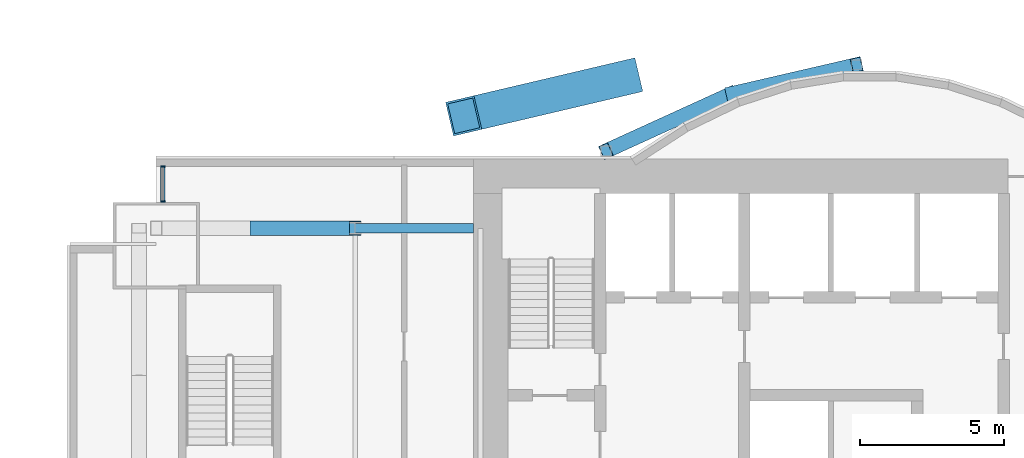
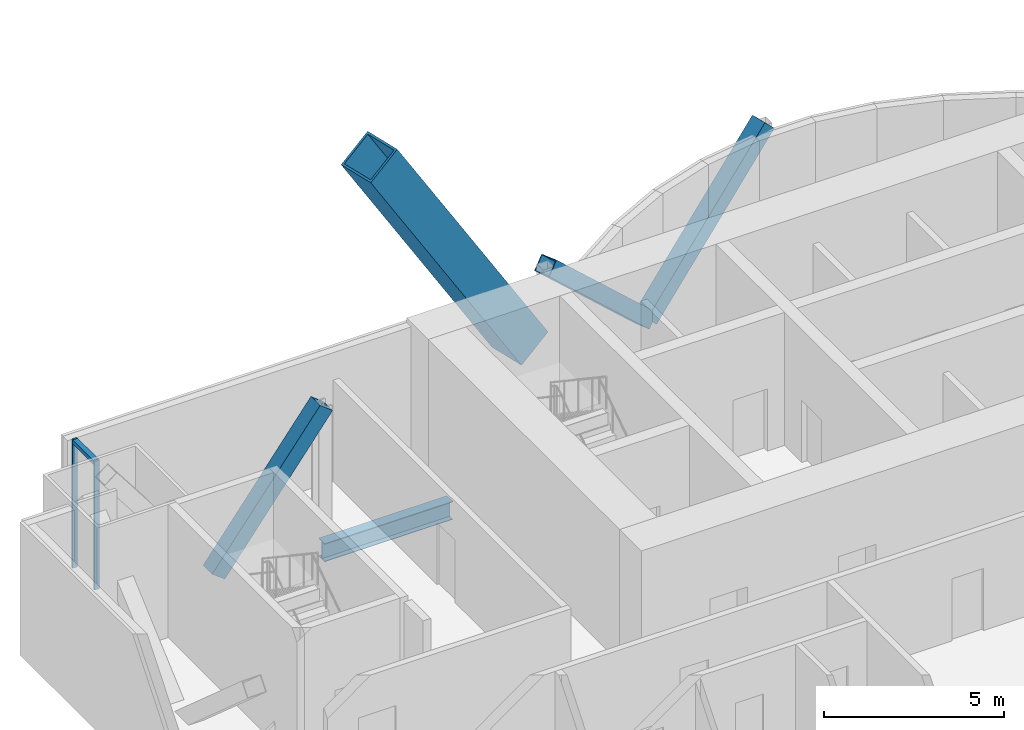
# One storey, part 11 of 23: 7 members, 1 beam, 1 element without a shape of its own.
"""IFC4 building model written with IfcOpenShell, lengths in metres."""

from ifc_helpers import new_model, si_unit, direction, frame, origin, origin_2d, place, context, subcontext, project, spatial, rectangle, hollow_rectangle, i_section, extrude, material, material_profile, profile_set, type_object, element, aggregate, save


model = new_model("IFC4")

# Units and contexts
model_context = context("Model", 3, precision=1e-05, world=origin(), true_north=direction((0.0, 1.0)))
body_context = subcontext(model_context, "Body", "Model", "MODEL_VIEW")
ifc_project = project(units=[si_unit("LENGTHUNIT", "METRE"), si_unit("AREAUNIT", "SQUARE_METRE"), si_unit("VOLUMEUNIT", "CUBIC_METRE"), si_unit("PLANEANGLEUNIT", "RADIAN"), si_unit("MASSUNIT", "GRAM", prefix="KILO")], contexts=[model_context])

# Site, building, storey
site_placement = place(None, origin())
site = spatial("IfcSite", under=ifc_project, at=site_placement, CompositionType="ELEMENT")
building_placement = place(site_placement, origin())
building = spatial("IfcBuilding", under=site, at=building_placement, Name="Bicima Exchange Tower", CompositionType="ELEMENT")
storey_placement = place(building_placement, frame((0.0, 0.0, 62.0)))
storey = spatial("IfcBuildingStorey", under=building, at=storey_placement, Name="L12", CompositionType="ELEMENT", Elevation=62.0)

# Member
ifc_material_1 = material(Name="Steel ASTM A572 Gr 50", Category="steel")
ifc_material_profile_1 = material_profile(ifc_material_1, hollow_rectangle(XDim=1.199951171875, YDim=1.199951171875, WallThickness=0.070068359375, at=origin_2d()))
ifc_profile_set_1 = profile_set([ifc_material_profile_1], Name="Steel ASTM A572 Gr 50")
member_type_1 = type_object("IfcMemberType", Name="Exo mega brace BOX 1200x1200x70", PredefinedType="BRACE", material=ifc_profile_set_1)
member_1_placement = place(storey_placement, frame((-16.75, 2.8125, 0.22509765625), z_axis=(-0.526282956068, -0.123717572776, 0.841261084526), x_axis=(0.228840031766, -0.973464041381, 0.0)))
element("IfcMember", 1, at=member_1_placement, inside=storey, type_object=member_type_1, Name="Exo mega brace rear", PredefinedType="BRACE", context=body_context, shape_type="SweptSolid", body=[
    extrude(hollow_rectangle(XDim=1.199951171875, YDim=1.199951171875, WallThickness=0.070068359375, at=origin_2d()), origin(), (0.0, 0.0, 1.0), 10.60888671875),
])

# Curtain wall, members
ifc_material_2 = material(Name="Anodised bronze aluminium", Category="aluminium")
curtain_wall_type = type_object("IfcCurtainWallType", Name="Front glass wall", PredefinedType="NOTDEFINED", material=ifc_material_2)
curtain_wall_placement = place(storey_placement, origin())
curtain_wall = element("IfcCurtainWall", 2, at=curtain_wall_placement, inside=storey, type_object=curtain_wall_type, Name="Front glass wall L12 run 1", PredefinedType="NOTDEFINED")
ifc_material_profile_2 = material_profile(ifc_material_2, rectangle(XDim=0.159912109375, YDim=0.06005859375, at=origin_2d()))
ifc_profile_set_2 = profile_set([ifc_material_profile_2], Name="Anodised bronze aluminium")
member_type_2 = type_object("IfcMemberType", Name="Front glass wall mullion 60 x 160", PredefinedType="MULLION", material=ifc_profile_set_2)
member_2_placement = place(storey_placement, frame((-32.77001953125, -0.260009765625, 0.0), z_axis=(0.0, 0.0, 1.0), x_axis=(1.0, 0.0, 0.0)))
member_2 = element("IfcMember", 3, at=member_2_placement, type_object=member_type_2, Name="Front glass wall mullion 1", PredefinedType="MULLION", context=body_context, shape_type="SweptSolid", body=[
    extrude(rectangle(XDim=0.159912109375, YDim=0.06005859375, at=origin_2d()), origin(), (0.0, 0.0, 1.0), 4.35009765625),
])
member_3_placement = place(storey_placement, frame((-32.77001953125, -1.469970703125, 0.0), z_axis=(0.0, 0.0, 1.0), x_axis=(1.0, 0.0, 0.0)))
member_3 = element("IfcMember", 4, at=member_3_placement, type_object=member_type_2, Name="Front glass wall mullion 2", PredefinedType="MULLION", context=body_context, shape_type="SweptSolid", body=[
    extrude(rectangle(XDim=0.159912109375, YDim=0.06005859375, at=origin_2d()), origin(), (0.0, 0.0, 1.0), 4.35009765625),
])
ifc_material_profile_3 = material_profile(ifc_material_2, rectangle(XDim=0.159912109375, YDim=0.139892578125, at=origin_2d()))
ifc_profile_set_3 = profile_set([ifc_material_profile_3], Name="Anodised bronze aluminium")
member_type_3 = type_object("IfcMemberType", Name="Front glass wall transom 140 x 160", PredefinedType="USERDEFINED", material=ifc_profile_set_3)
member_4_placement = place(storey_placement, frame((-32.77001953125, -0.2900390625, 4.280029296875), z_axis=(0.0, -1.0, 0.0), x_axis=(1.0, 0.0, 0.0)))
member_4 = element("IfcMember", 5, at=member_4_placement, type_object=member_type_3, Name="Front glass wall transom 1.1", ObjectType="TRANSOM", PredefinedType="USERDEFINED", context=body_context, shape_type="SweptSolid", body=[
    extrude(rectangle(XDim=0.159912109375, YDim=0.139892578125, at=origin_2d()), origin(), (0.0, 0.0, 1.0), 1.14990234375),
])
aggregate(curtain_wall, [member_2, member_3, member_4])

# Members
ifc_material_profile_4 = material_profile(ifc_material_1, hollow_rectangle(XDim=0.508056640625, YDim=0.508056640625, WallThickness=0.017822265625, at=origin_2d()))
ifc_profile_set_4 = profile_set([ifc_material_profile_4], Name="Steel ASTM A572 Gr 50")
member_type_4 = type_object("IfcMemberType", Name="Mega brace HSS20x20x3/4", PredefinedType="BRACE", material=ifc_profile_set_4)
member_5_placement = place(storey_placement, frame((-13.050048828125, 2.262451171875, 0.0), z_axis=(0.686212303743, 0.158786245837, 0.709858860848), x_axis=(-0.225438503722, 0.974257399787, 0.0)))
element("IfcMember", 6, at=member_5_placement, inside=storey, type_object=member_type_4, Name="Mega brace rexo", PredefinedType="BRACE", context=body_context, shape_type="SweptSolid", body=[
    extrude(hollow_rectangle(XDim=0.508056640625, YDim=0.508056640625, WallThickness=0.017822265625, at=origin_2d()), origin(), (0.0, 0.0, 1.0), 6.33935546875),
])
member_6_placement = place(storey_placement, frame((-13.050048828125, 2.262451171875, 0.0), z_axis=(-0.662507516739, -0.302231638101, 0.685375683254), x_axis=(0.415045223819, -0.909800781592, 0.0)))
element("IfcMember", 7, at=member_6_placement, inside=storey, type_object=member_type_4, Name="Mega brace rexo", PredefinedType="BRACE", context=body_context, shape_type="SweptSolid", body=[
    extrude(hollow_rectangle(XDim=0.508056640625, YDim=0.508056640625, WallThickness=0.017822265625, at=origin_2d()), origin(), (0.0, 0.0, 1.0), 6.565673828125),
])
member_7_placement = place(storey_placement, frame((-29.550048828125, -2.39990234375, 0.0), z_axis=(0.608426120198, 0.0, 0.793610519248), x_axis=(0.0, 1.0, 0.0)))
element("IfcMember", 8, at=member_7_placement, inside=storey, type_object=member_type_4, Name="Mega brace rear", PredefinedType="BRACE", context=body_context, shape_type="SweptSolid", body=[
    extrude(hollow_rectangle(XDim=0.508056640625, YDim=0.508056640625, WallThickness=0.017822265625, at=origin_2d()), origin(), (0.0, 0.0, 1.0), 5.670166015625),
])

# Beam
ifc_material_3 = material(Name="Steel ASTM A992 Gr 50", Category="steel")
ifc_material_profile_5 = material_profile(ifc_material_3, i_section(OverallWidth=0.3251953125, OverallDepth=0.612060546875, WebThickness=0.0126953125, FlangeThickness=0.01904296875, at=origin_2d()))
ifc_profile_set_5 = profile_set([ifc_material_profile_5], Name="Steel ASTM A992 Gr 50")
beam_type = type_object("IfcBeamType", Name="Rear girder W24x104", PredefinedType="BEAM", material=ifc_profile_set_5)
beam_placement = place(storey_placement, frame((-22.0, -2.39990234375, -0.4560546875), z_axis=(-1.0, 0.0, 0.0), x_axis=(0.0, -1.0, 0.0)))
element("IfcBeam", 9, at=beam_placement, inside=storey, type_object=beam_type, Name="Rear girder", PredefinedType="BEAM", context=body_context, shape_type="SweptSolid", body=[
    extrude(i_section(OverallWidth=0.3251953125, OverallDepth=0.612060546875, WebThickness=0.0126953125, FlangeThickness=0.01904296875, at=origin_2d()), origin(), (0.0, 0.0, 1.0), 4.10009765625),
])

save(model, "model.ifc")
